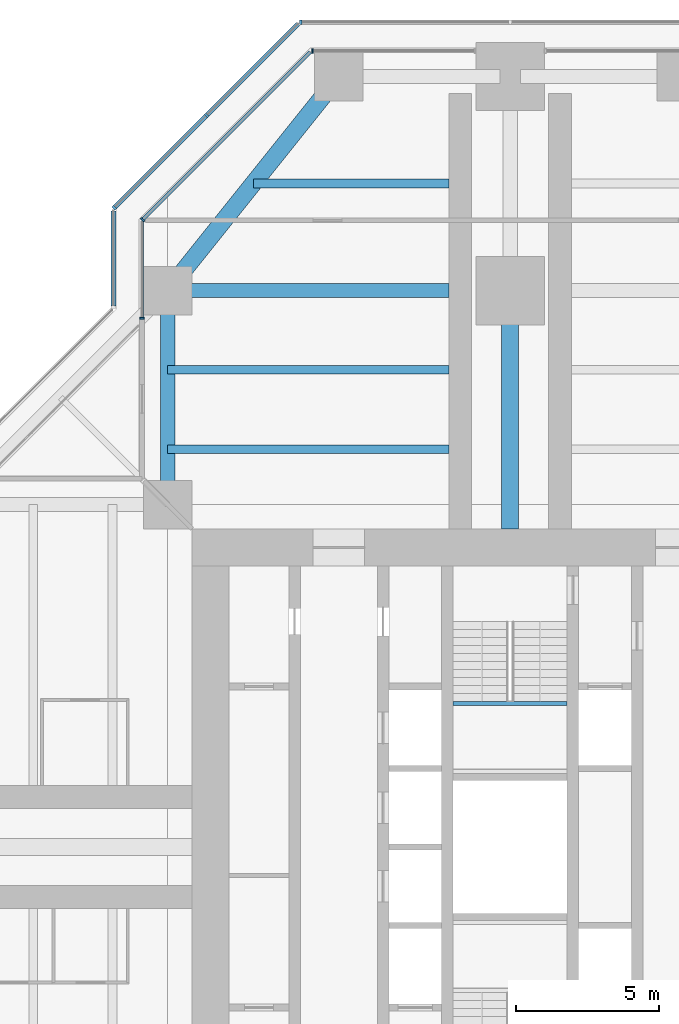
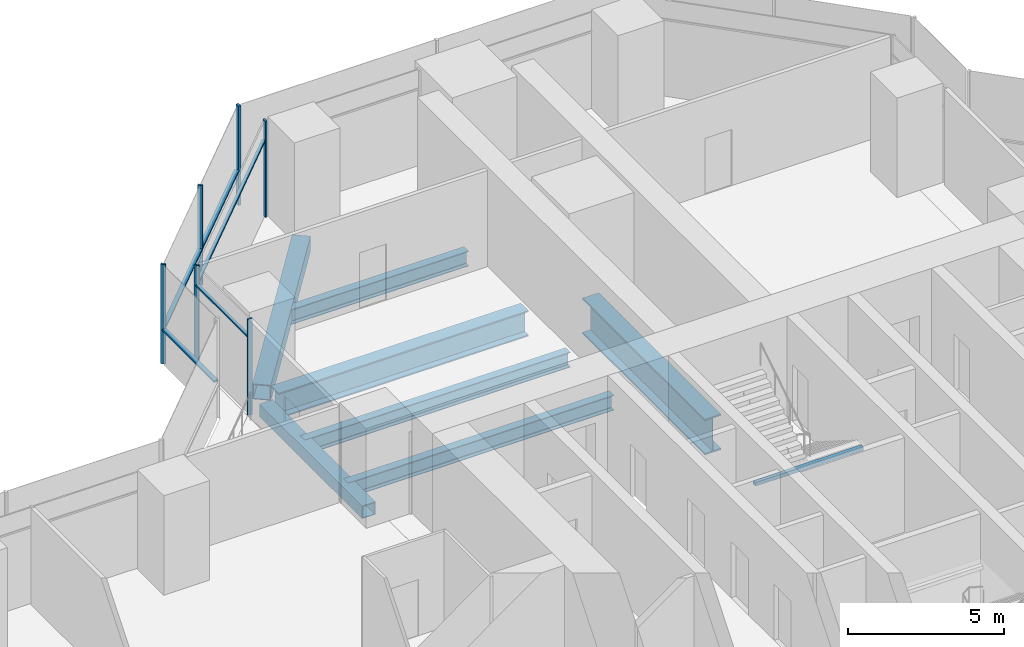
# One storey, part 8 of 20: 11 members, 8 beams, 6 elements without a shape of their own.
"""IFC4 building model written with IfcOpenShell, lengths in metres."""

from ifc_helpers import new_model, si_unit, direction, frame, origin, origin_2d, place, context, subcontext, project, spatial, rectangle, hollow_rectangle, i_section, extrude, material, material_profile, profile_set, type_object, element, aggregate, save


model = new_model("IFC4")

# Units and contexts
model_context = context("Model", 3, precision=1e-05, world=origin(), true_north=direction((0.0, 1.0)))
body_context = subcontext(model_context, "Body", "Model", "MODEL_VIEW")
ifc_project = project(units=[si_unit("LENGTHUNIT", "METRE"), si_unit("AREAUNIT", "SQUARE_METRE"), si_unit("VOLUMEUNIT", "CUBIC_METRE"), si_unit("PLANEANGLEUNIT", "RADIAN"), si_unit("MASSUNIT", "GRAM", prefix="KILO")], contexts=[model_context])

# Site, building, storey
site_placement = place(None, origin())
site = spatial("IfcSite", under=ifc_project, at=site_placement, CompositionType="ELEMENT")
building_placement = place(site_placement, origin())
building = spatial("IfcBuilding", under=site, at=building_placement, Name="Mizan Broadcast Tower", CompositionType="ELEMENT")
storey_placement = place(building_placement, frame((0.0, 0.0, 139.800048828125)))
storey = spatial("IfcBuildingStorey", under=building, at=storey_placement, Name="L31", CompositionType="ELEMENT", Elevation=139.800048828125)

# Beams
ifc_material_1 = material(Name="Steel S355", Category="steel")
ifc_material_profile_1 = material_profile(ifc_material_1, hollow_rectangle(XDim=0.5, YDim=0.5, WallThickness=0.030029296875, at=origin_2d()), Name="BOX 500x500x30")
ifc_profile_set_1 = profile_set([ifc_material_profile_1], Name="Steel S355")
beam_type_1 = type_object("IfcBeamType", Name="EDGE BEAM BOX 500x500x30", PredefinedType="SPANDREL", material=ifc_profile_set_1)
beam_1_placement = place(storey_placement, frame((-12.0, 12.449951171875, -0.380126953125), z_axis=(0.0, 1.0, 0.0), x_axis=(-1.0, 0.0, 0.0)))
element("IfcBeam", 1, at=beam_1_placement, inside=storey, type_object=beam_type_1, Name="Edge beam BOX 500x500x30 L31 north arm", PredefinedType="SPANDREL", context=body_context, shape_type="SweptSolid", body=[
    extrude(hollow_rectangle(XDim=0.5, YDim=0.5, WallThickness=0.030029296875, at=origin_2d()), origin(), (0.0, 0.0, 1.0), 6.60009765625),
])
ifc_material_2 = material(Name="Steel S355", Category="steel")
ifc_material_profile_2 = material_profile(ifc_material_2, hollow_rectangle(XDim=0.60009765625, YDim=0.60009765625, WallThickness=0.030029296875, at=origin_2d()), Name="BOX 600x600x30")
ifc_profile_set_2 = profile_set([ifc_material_profile_2], Name="Steel S355")
beam_type_2 = type_object("IfcBeamType", Name="EDGE BEAM BOX 600x600x30", PredefinedType="SPANDREL", material=ifc_profile_set_2)
beam_2_placement = place(storey_placement, frame((-11.639892578125, 19.949951171875, -0.429931640625), z_axis=(0.624673911726, 0.780885717636, 0.0), x_axis=(-0.780885717636, 0.624673911726, 0.0)))
element("IfcBeam", 2, at=beam_2_placement, inside=storey, type_object=beam_type_2, Name="Edge beam BOX 600x600x30 L31 north arm", PredefinedType="SPANDREL", context=body_context, shape_type="SweptSolid", body=[
    extrude(hollow_rectangle(XDim=0.60009765625, YDim=0.60009765625, WallThickness=0.030029296875, at=origin_2d()), origin(), (0.0, 0.0, 1.0), 8.4521484375),
])
ifc_material_3 = material(Name="Steel S460", Category="steel")
ifc_material_profile_3 = material_profile(ifc_material_3, i_section(OverallWidth=0.5, OverallDepth=1.0, WebThickness=0.02490234375, FlangeThickness=0.050048828125, at=origin_2d()), Name="WPG 1000x500")
ifc_profile_set_3 = profile_set([ifc_material_profile_3], Name="Steel S460")
beam_type_3 = type_object("IfcBeamType", Name="GIRDER WPG 1000x500", PredefinedType="BEAM", material=ifc_profile_set_3)
beam_3_placement = place(storey_placement, frame((-11.408935546875, 19.5, -0.630126953125), z_axis=(1.0, 0.0, 0.0), x_axis=(0.0, 1.0, 0.0)))
element("IfcBeam", 3, at=beam_3_placement, inside=storey, type_object=beam_type_3, Name="Girder WPG 1000x500 L31 north arm", PredefinedType="BEAM", context=body_context, shape_type="SweptSolid", body=[
    extrude(i_section(OverallWidth=0.5, OverallDepth=1.0, WebThickness=0.02490234375, FlangeThickness=0.050048828125, at=origin_2d()), origin(), (0.0, 0.0, 1.0), 9.259033203125),
])
ifc_material_4 = material(Name="Steel S460", Category="steel")
ifc_material_profile_4 = material_profile(ifc_material_4, i_section(OverallWidth=0.60009765625, OverallDepth=1.39990234375, WebThickness=0.02490234375, FlangeThickness=0.06005859375, at=origin_2d()), Name="WPG 1400x600")
ifc_profile_set_4 = profile_set([ifc_material_profile_4], Name="Steel S460")
beam_type_4 = type_object("IfcBeamType", Name="GIRDER WPG 1400x600", PredefinedType="BEAM", material=ifc_profile_set_4)
beam_4_placement = place(storey_placement, frame((0.0, 11.14990234375, -0.830078125), z_axis=(0.0, 1.0, 0.0), x_axis=(-1.0, 0.0, 0.0)))
element("IfcBeam", 4, at=beam_4_placement, inside=storey, type_object=beam_type_4, Name="Girder WPG 1400x600 L31 north arm", PredefinedType="BEAM", context=body_context, shape_type="SweptSolid", body=[
    extrude(i_section(OverallWidth=0.60009765625, OverallDepth=1.39990234375, WebThickness=0.02490234375, FlangeThickness=0.06005859375, at=origin_2d()), origin(), (0.0, 0.0, 1.0), 7.84912109375),
])

# Curtain wall, member
ifc_material_5 = material(Name="Aluminium framed glazing", Category="aluminium")
curtain_wall_type_1 = type_object("IfcCurtainWallType", Name="INNER SKIN MID ZONE", PredefinedType="USERDEFINED", material=ifc_material_5)
curtain_wall_1_placement = place(storey_placement, origin())
curtain_wall_1 = element("IfcCurtainWall", 5, at=curtain_wall_1_placement, inside=storey, type_object=curtain_wall_type_1, Name="Inner skin mid zone L31 N end", ObjectType="INNER SKIN MID ZONE", PredefinedType="USERDEFINED")
ifc_material_6 = material(Name="Aluminium, pale anodised", Category="aluminium")
ifc_material_profile_5 = material_profile(ifc_material_6, rectangle(XDim=0.159912109375, YDim=0.06005859375, at=origin_2d()), Name="MULLION 160x60")
ifc_profile_set_5 = profile_set([ifc_material_profile_5], Name="Aluminium, pale anodised")
member_type_1 = type_object("IfcMemberType", Name="INNER SKIN MULLION 60x160", PredefinedType="MULLION", material=ifc_profile_set_5)
member_1_placement = place(storey_placement, frame((-6.928466796875, 27.89990234375, 0.0), z_axis=(0.0, 0.0, 1.0), x_axis=(0.0, -1.0, 0.0)))
member_1 = element("IfcMember", 6, at=member_1_placement, type_object=member_type_1, Name="Inner skin mid zone L31 N end mullion 2", PredefinedType="MULLION", context=body_context, shape_type="SweptSolid", body=[
    extrude(rectangle(XDim=0.159912109375, YDim=0.06005859375, at=origin_2d()), origin(), (0.0, 0.0, 1.0), 3.77001953125),
])
aggregate(curtain_wall_1, [member_1])

curtain_wall_2_placement = place(storey_placement, origin())
curtain_wall_2 = element("IfcCurtainWall", 7, at=curtain_wall_2_placement, inside=storey, type_object=curtain_wall_type_1, Name="Inner skin mid zone L31 N chamfer", ObjectType="INNER SKIN MID ZONE", PredefinedType="USERDEFINED")
member_2_placement = place(storey_placement, frame((-12.87890625, 21.979736328125, 0.0), z_axis=(0.0, 0.0, 1.0), x_axis=(0.707106781187, -0.707106781187, 0.0)))
member_2 = element("IfcMember", 8, at=member_2_placement, type_object=member_type_1, Name="Inner skin mid zone L31 N chamfer mullion 2", PredefinedType="MULLION", context=body_context, shape_type="SweptSolid", body=[
    extrude(rectangle(XDim=0.159912109375, YDim=0.06005859375, at=origin_2d()), origin(), (0.0, 0.0, 1.0), 3.77001953125),
])

curtain_wall_3_placement = place(storey_placement, origin())
curtain_wall_3 = element("IfcCurtainWall", 9, at=curtain_wall_3_placement, inside=storey, type_object=curtain_wall_type_1, Name="Inner skin mid zone L31 N side", ObjectType="INNER SKIN MID ZONE", PredefinedType="USERDEFINED")
member_3_placement = place(storey_placement, frame((-12.89990234375, 18.530029296875, 0.0), z_axis=(0.0, 0.0, 1.0), x_axis=(1.0, 0.0, 0.0)))
member_3 = element("IfcMember", 10, at=member_3_placement, type_object=member_type_1, Name="Inner skin mid zone L31 N side mullion 2", PredefinedType="MULLION", context=body_context, shape_type="SweptSolid", body=[
    extrude(rectangle(XDim=0.159912109375, YDim=0.06005859375, at=origin_2d()), origin(), (0.0, 0.0, 1.0), 3.77001953125),
])

# Member
ifc_material_7 = material(Name="Aluminium, pale anodised", Category="aluminium")
ifc_material_profile_6 = material_profile(ifc_material_7, rectangle(XDim=0.1201171875, YDim=0.06005859375, at=origin_2d()), Name="TRANSOM 120x60")
ifc_profile_set_6 = profile_set([ifc_material_profile_6], Name="Aluminium, pale anodised")
member_type_2 = type_object("IfcMemberType", Name="INNER SKIN TRANSOM 60x120", PredefinedType="USERDEFINED", material=ifc_profile_set_6)
member_4_placement = place(storey_placement, frame((-7.0009765625, 27.857666015625, 3.030029296875), z_axis=(-0.707106781187, -0.707106781187, 0.0), x_axis=(0.707106781187, -0.707106781187, 0.0)))
member_4 = element("IfcMember", 11, at=member_4_placement, type_object=member_type_2, Name="Inner skin mid zone L31 N chamfer transom 1.1", ObjectType="TRANSOM", PredefinedType="USERDEFINED", context=body_context, shape_type="SweptSolid", body=[
    extrude(rectangle(XDim=0.1201171875, YDim=0.06005859375, at=origin_2d()), origin(), (0.0, 0.0, 1.0), 8.28271484375),
])

aggregate(curtain_wall_2, [member_2, member_4])

member_5_placement = place(storey_placement, frame((-12.89990234375, 21.898681640625, 3.030029296875), z_axis=(0.0, -1.0, 0.0), x_axis=(1.0, 0.0, 0.0)))
member_5 = element("IfcMember", 12, at=member_5_placement, type_object=member_type_2, Name="Inner skin mid zone L31 N side transom 1.1", ObjectType="TRANSOM", PredefinedType="USERDEFINED", context=body_context, shape_type="SweptSolid", body=[
    extrude(rectangle(XDim=0.1201171875, YDim=0.06005859375, at=origin_2d()), origin(), (0.0, 0.0, 1.0), 3.338623046875),
])

aggregate(curtain_wall_3, [member_3, member_5])

# Beam
ifc_material_8 = material(Name="Steel S355", Category="steel")
ifc_material_profile_7 = material_profile(ifc_material_8, hollow_rectangle(XDim=0.14990234375, YDim=0.14990234375, WallThickness=0.008056640625, InnerFilletRadius=0.008056640625, OuterFilletRadius=0.011962890625, at=origin_2d()), Name="SHS 150x150x8")
ifc_profile_set_7 = profile_set([ifc_material_profile_7], Name="Steel S355")
beam_type_5 = type_object("IfcBeamType", Name="LANDING TRIMMER SHS 150x150x8", PredefinedType="BEAM", material=ifc_profile_set_7)
beam_5_placement = place(storey_placement, frame((2.0, 5.02490234375, 1.675048828125), z_axis=(-1.0, 0.0, 0.0), x_axis=(0.0, -1.0, 0.0)))
element("IfcBeam", 13, at=beam_5_placement, inside=storey, type_object=beam_type_5, Name="Stair B landing trimmer L31", PredefinedType="BEAM", context=body_context, shape_type="SweptSolid", body=[
    extrude(hollow_rectangle(XDim=0.14990234375, YDim=0.14990234375, WallThickness=0.008056640625, InnerFilletRadius=0.008056640625, OuterFilletRadius=0.011962890625, at=origin_2d()), origin(), (0.0, 0.0, 1.0), 4.0),
])

# Curtain wall, member
ifc_material_9 = material(Name="Aluminium framed glazing", Category="aluminium")
curtain_wall_type_2 = type_object("IfcCurtainWallType", Name="OUTER SKIN", PredefinedType="USERDEFINED", material=ifc_material_9)
curtain_wall_4_placement = place(storey_placement, origin())
curtain_wall_4 = element("IfcCurtainWall", 14, at=curtain_wall_4_placement, inside=storey, type_object=curtain_wall_type_2, Name="Outer skin L31 N end", ObjectType="OUTER SKIN", PredefinedType="USERDEFINED")
ifc_material_10 = material(Name="Aluminium, pale anodised", Category="aluminium")
ifc_material_profile_8 = material_profile(ifc_material_10, rectangle(XDim=0.159912109375, YDim=0.080078125, at=origin_2d()), Name="MULLION 160x80")
ifc_profile_set_8 = profile_set([ifc_material_profile_8], Name="Aluminium, pale anodised")
member_type_3 = type_object("IfcMemberType", Name="OUTER SKIN MULLION 80x160", PredefinedType="MULLION", material=ifc_profile_set_8)
member_6_placement = place(storey_placement, frame((-7.332763671875, 28.89990234375, 0.0), z_axis=(0.0, 0.0, 1.0), x_axis=(0.0, -1.0, 0.0)))
member_6 = element("IfcMember", 15, at=member_6_placement, type_object=member_type_3, Name="Outer skin L31 N end mullion 3", PredefinedType="MULLION", context=body_context, shape_type="SweptSolid", body=[
    extrude(rectangle(XDim=0.159912109375, YDim=0.080078125, at=origin_2d()), origin(), (0.0, 0.0, 1.0), 3.89990234375),
])
aggregate(curtain_wall_4, [member_6])

# Curtain wall, members
curtain_wall_5_placement = place(storey_placement, origin())
curtain_wall_5 = element("IfcCurtainWall", 16, at=curtain_wall_5_placement, inside=storey, type_object=curtain_wall_type_2, Name="Outer skin L31 N chamfer", ObjectType="OUTER SKIN", PredefinedType="USERDEFINED")
member_7_placement = place(storey_placement, frame((-10.636474609375, 25.636474609375, 0.0), z_axis=(0.0, 0.0, 1.0), x_axis=(0.707106781187, -0.707106781187, 0.0)))
member_7 = element("IfcMember", 17, at=member_7_placement, type_object=member_type_3, Name="Outer skin L31 N chamfer mullion 2", PredefinedType="MULLION", context=body_context, shape_type="SweptSolid", body=[
    extrude(rectangle(XDim=0.159912109375, YDim=0.080078125, at=origin_2d()), origin(), (0.0, 0.0, 1.0), 3.89990234375),
])
member_8_placement = place(storey_placement, frame((-13.871826171875, 22.401123046875, 0.0), z_axis=(0.0, 0.0, 1.0), x_axis=(0.707106781187, -0.707106781187, 0.0)))
member_8 = element("IfcMember", 18, at=member_8_placement, type_object=member_type_3, Name="Outer skin L31 N chamfer mullion 3", PredefinedType="MULLION", context=body_context, shape_type="SweptSolid", body=[
    extrude(rectangle(XDim=0.159912109375, YDim=0.080078125, at=origin_2d()), origin(), (0.0, 0.0, 1.0), 3.89990234375),
])
ifc_material_11 = material(Name="Aluminium, pale anodised", Category="aluminium")
ifc_material_profile_9 = material_profile(ifc_material_11, rectangle(XDim=0.159912109375, YDim=0.06005859375, at=origin_2d()), Name="TRANSOM 160x60")
ifc_profile_set_9 = profile_set([ifc_material_profile_9], Name="Aluminium, pale anodised")
member_type_4 = type_object("IfcMemberType", Name="OUTER SKIN TRANSOM 60x160", PredefinedType="USERDEFINED", material=ifc_profile_set_9)
member_9_placement = place(storey_placement, frame((-7.429443359375, 28.843505859375, 1.39990234375), z_axis=(-0.707106781187, -0.707106781187, 0.0), x_axis=(0.707106781187, -0.707106781187, 0.0)))
member_9 = element("IfcMember", 19, at=member_9_placement, type_object=member_type_4, Name="Outer skin L31 N chamfer transom 1.1", ObjectType="TRANSOM", PredefinedType="USERDEFINED", context=body_context, shape_type="SweptSolid", body=[
    extrude(rectangle(XDim=0.159912109375, YDim=0.06005859375, at=origin_2d()), origin(), (0.0, 0.0, 1.0), 4.495361328125),
])
member_10_placement = place(storey_placement, frame((-10.664794921875, 25.608154296875, 1.39990234375), z_axis=(-0.707106781187, -0.707106781187, 0.0), x_axis=(0.707106781187, -0.707106781187, 0.0)))
member_10 = element("IfcMember", 20, at=member_10_placement, type_object=member_type_4, Name="Outer skin L31 N chamfer transom 2.1", ObjectType="TRANSOM", PredefinedType="USERDEFINED", context=body_context, shape_type="SweptSolid", body=[
    extrude(rectangle(XDim=0.159912109375, YDim=0.06005859375, at=origin_2d()), origin(), (0.0, 0.0, 1.0), 4.495361328125),
])
aggregate(curtain_wall_5, [member_7, member_8, member_9, member_10])

# Curtain wall, member
curtain_wall_6_placement = place(storey_placement, origin())
curtain_wall_6 = element("IfcCurtainWall", 21, at=curtain_wall_6_placement, inside=storey, type_object=curtain_wall_type_2, Name="Outer skin L31 N side", ObjectType="OUTER SKIN", PredefinedType="USERDEFINED")
member_11_placement = place(storey_placement, frame((-13.89990234375, 22.292724609375, 1.39990234375), z_axis=(0.0, -1.0, 0.0), x_axis=(1.0, 0.0, 0.0)))
member_11 = element("IfcMember", 22, at=member_11_placement, type_object=member_type_4, Name="Outer skin L31 N side transom 1.1", ObjectType="TRANSOM", PredefinedType="USERDEFINED", context=body_context, shape_type="SweptSolid", body=[
    extrude(rectangle(XDim=0.159912109375, YDim=0.06005859375, at=origin_2d()), origin(), (0.0, 0.0, 1.0), 3.33984375),
])
aggregate(curtain_wall_6, [member_11])

# Beams
ifc_material_12 = material(Name="Steel S355", Category="steel")
ifc_material_profile_10 = material_profile(ifc_material_12, i_section(OverallWidth=0.300048828125, OverallDepth=0.590087890625, WebThickness=0.012939453125, FlangeThickness=0.02490234375, FilletRadius=0.027099609375, at=origin_2d()), Name="HEA 600")
ifc_profile_set_10 = profile_set([ifc_material_profile_10], Name="Steel S355")
beam_type_6 = type_object("IfcBeamType", Name="SECONDARY BEAM HEA 600", PredefinedType="JOIST", material=ifc_profile_set_10)
for number, where, z_axis, x_axis, name in (
    (23, (-12.0, 13.933349609375, -0.425048828125), (1.0, 0.0, 0.0), (0.0, 1.0, 0.0), "Secondary beam HEA 600 L31 north arm"),
    (24, (-12.0, 16.716552734375, -0.425048828125), (1.0, 0.0, 0.0), (0.0, 1.0, 0.0), "Secondary beam HEA 600 L31 north arm"),
):
    element("IfcBeam", number, at=place(storey_placement, frame(where, z_axis=z_axis, x_axis=x_axis)), inside=storey, type_object=beam_type_6, Name=name, PredefinedType="JOIST", context=body_context, shape_type="SweptSolid", body=[
        extrude(i_section(OverallWidth=0.300048828125, OverallDepth=0.590087890625, WebThickness=0.012939453125, FlangeThickness=0.02490234375, FilletRadius=0.027099609375, at=origin_2d()), origin(), (0.0, 0.0, 1.0), 9.85009765625),
    ])
beam_6_placement = place(storey_placement, frame((-9.0, 23.25, -0.425048828125), z_axis=(1.0, 0.0, 0.0), x_axis=(0.0, 1.0, 0.0)))
element("IfcBeam", 25, at=beam_6_placement, inside=storey, type_object=beam_type_6, Name="Secondary beam HEA 600 L31 north arm", PredefinedType="JOIST", context=body_context, shape_type="SweptSolid", body=[
    extrude(i_section(OverallWidth=0.300048828125, OverallDepth=0.590087890625, WebThickness=0.012939453125, FlangeThickness=0.02490234375, FilletRadius=0.027099609375, at=origin_2d()), origin(), (0.0, 0.0, 1.0), 6.85009765625),
])

save(model, "model.ifc")
